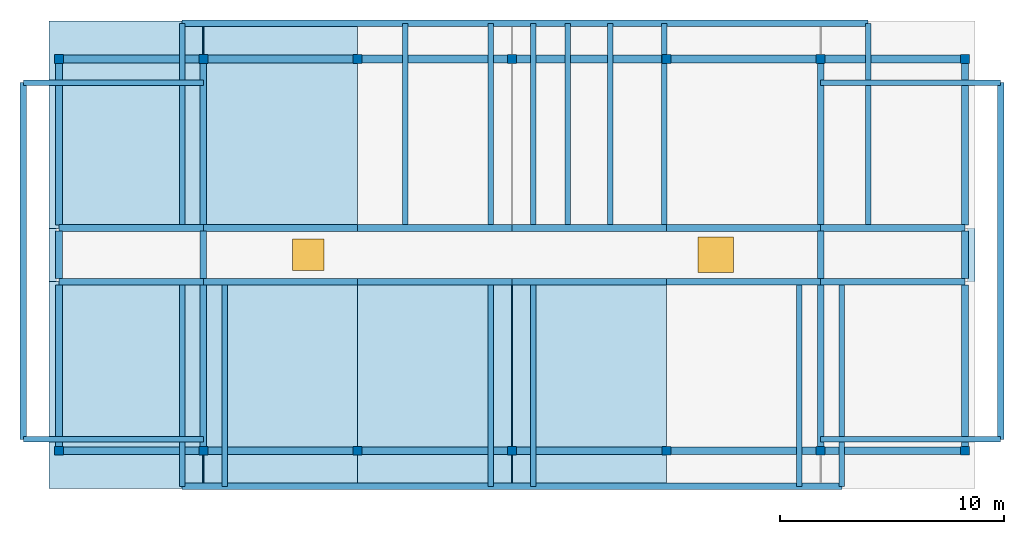
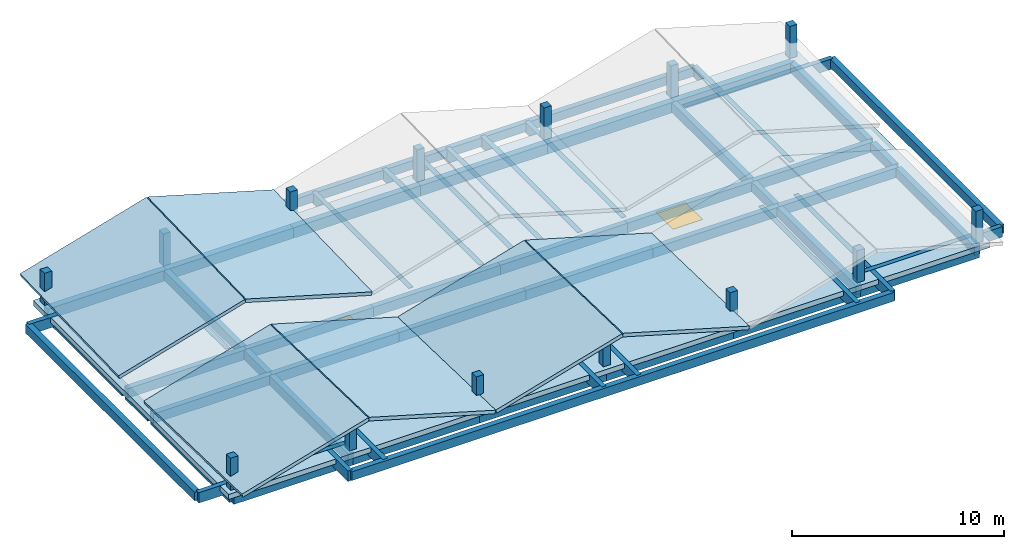
# One storey, part 1 of 3: 58 beams, 14 columns, 7 slabs, 2 windows, 2 openings.
"""IFC4 building model written with IfcOpenShell, lengths in metres."""

from ifc_helpers import new_model, si_unit, direction, frame, origin, origin_2d, place, context, subcontext, project, spatial, polyline, rectangle, outline, extrude, material, layer, layer_set, material_profile, profile_set, type_object, element, fill, save


model = new_model("IFC4")

# Units and contexts
model_context = context("Model", 3, precision=1e-05, world=origin(), true_north=direction((0.0, 1.0)))
body_context = subcontext(model_context, "Body", "Model", "MODEL_VIEW")
ifc_project = project(units=[si_unit("LENGTHUNIT", "METRE"), si_unit("AREAUNIT", "SQUARE_METRE"), si_unit("VOLUMEUNIT", "CUBIC_METRE"), si_unit("PLANEANGLEUNIT", "RADIAN"), si_unit("MASSUNIT", "GRAM", prefix="KILO")], contexts=[model_context])

# Site, building, storey
site_placement = place(None, origin())
site = spatial("IfcSite", under=ifc_project, at=site_placement, CompositionType="ELEMENT")
building_placement = place(site_placement, origin())
building = spatial("IfcBuilding", under=site, at=building_placement, Name="Zavelmont Quarter", CompositionType="ELEMENT")
storey_placement = place(building_placement, frame((0.0, 0.0, 49.60009765625)))
storey = spatial("IfcBuildingStorey", under=building, at=storey_placement, Name="ROOF", CompositionType="ELEMENT", Elevation=49.60009765625)

# Columns
ifc_material_1 = material(Name="Concrete C35/45", Category="concrete")
ifc_material_profile_1 = material_profile(ifc_material_1, rectangle(XDim=0.39990234375, YDim=0.39990234375, at=origin_2d()), Name="RC400X400")
ifc_profile_set_1 = profile_set([ifc_material_profile_1], Name="Concrete C35/45")
column_type = type_object("IfcColumnType", Name="CL05", PredefinedType="COLUMN", material=ifc_profile_set_1)
for number, where, z_axis, x_axis, name in (
    (1, (0.43994140625, 0.43994140625, 0.0), (0.0, 0.0, 1.0), (1.0, 0.0, 0.0), "ROOF column CL05 at 1/A"),
    (2, (0.43994140625, 17.9599609375, 0.0), (0.0, 0.0, 1.0), (1.0, 0.0, 0.0), "ROOF column CL05 at 1/D"),
    (3, (6.89990234375, 0.43994140625, 0.0), (0.0, 0.0, 1.0), (1.0, 0.0, 0.0), "ROOF column CL05 at 2/A"),
    (4, (6.89990234375, 17.9599609375, 0.0), (0.0, 0.0, 1.0), (1.0, 0.0, 0.0), "ROOF column CL05 at 2/D"),
    (5, (13.800048828125, 0.43994140625, 0.0), (0.0, 0.0, 1.0), (1.0, 0.0, 0.0), "ROOF column CL05 at 3/A"),
    (6, (13.800048828125, 17.9599609375, 0.0), (0.0, 0.0, 1.0), (1.0, 0.0, 0.0), "ROOF column CL05 at 3/D"),
    (7, (20.699951171875, 0.43994140625, 0.0), (0.0, 0.0, 1.0), (1.0, 0.0, 0.0), "ROOF column CL05 at 4/A"),
    (8, (20.699951171875, 17.9599609375, 0.0), (0.0, 0.0, 1.0), (1.0, 0.0, 0.0), "ROOF column CL05 at 4/D"),
    (9, (27.60009765625, 0.43994140625, 0.0), (0.0, 0.0, 1.0), (1.0, 0.0, 0.0), "ROOF column CL05 at 5/A"),
    (10, (27.60009765625, 17.9599609375, 0.0), (0.0, 0.0, 1.0), (1.0, 0.0, 0.0), "ROOF column CL05 at 5/D"),
    (11, (34.5, 0.43994140625, 0.0), (0.0, 0.0, 1.0), (1.0, 0.0, 0.0), "ROOF column CL05 at 6/A"),
    (12, (34.5, 17.9599609375, 0.0), (0.0, 0.0, 1.0), (1.0, 0.0, 0.0), "ROOF column CL05 at 6/D"),
    (13, (40.9599609375, 0.43994140625, 0.0), (0.0, 0.0, 1.0), (1.0, 0.0, 0.0), "ROOF column CL05 at 7/A"),
    (14, (40.9599609375, 17.9599609375, 0.0), (0.0, 0.0, 1.0), (1.0, 0.0, 0.0), "ROOF column CL05 at 7/D"),
):
    element("IfcColumn", number, at=place(storey_placement, frame(where, z_axis=z_axis, x_axis=x_axis)), inside=storey, type_object=column_type, Name=name, PredefinedType="COLUMN", context=body_context, shape_type="SweptSolid", body=[
        extrude(rectangle(XDim=0.39990234375, YDim=0.39990234375, at=origin_2d()), origin(), (0.0, 0.0, 1.0), 1.849853515625),
    ])

# Beams
ifc_material_profile_2 = material_profile(ifc_material_1, rectangle(XDim=0.35009765625, YDim=0.60009765625, at=origin_2d()), Name="RC350X600")
ifc_profile_set_2 = profile_set([ifc_material_profile_2], Name="Concrete C35/45")
beam_type_1 = type_object("IfcBeamType", Name="BM01", PredefinedType="SPANDREL", material=ifc_profile_set_2)
beam_1_placement = place(storey_placement, frame((0.43994140625, 0.43994140625, -0.590087890625), z_axis=(1.0, 0.0, 0.0), x_axis=(0.0, 1.0, 0.0)))
element("IfcBeam", 15, at=beam_1_placement, inside=storey, type_object=beam_type_1, Name="ROOF beam BM01 1/A to 2/A", PredefinedType="SPANDREL", context=body_context, shape_type="SweptSolid", body=[
    extrude(rectangle(XDim=0.35009765625, YDim=0.60009765625, at=origin_2d()), origin(), (0.0, 0.0, 1.0), 6.4599609375),
])
beam_2_placement = place(storey_placement, frame((6.89990234375, 0.43994140625, -0.590087890625), z_axis=(1.0, 0.0, 0.0), x_axis=(0.0, 1.0, 0.0)))
element("IfcBeam", 16, at=beam_2_placement, inside=storey, type_object=beam_type_1, Name="ROOF beam BM01 2/A to 3/A", PredefinedType="SPANDREL", context=body_context, shape_type="SweptSolid", body=[
    extrude(rectangle(XDim=0.35009765625, YDim=0.60009765625, at=origin_2d()), origin(), (0.0, 0.0, 1.0), 6.900146484375),
])
beam_3_placement = place(storey_placement, frame((13.800048828125, 0.43994140625, -0.590087890625), z_axis=(1.0, 0.0, 0.0), x_axis=(0.0, 1.0, 0.0)))
element("IfcBeam", 17, at=beam_3_placement, inside=storey, type_object=beam_type_1, Name="ROOF beam BM01 3/A to 4/A", PredefinedType="SPANDREL", context=body_context, shape_type="SweptSolid", body=[
    extrude(rectangle(XDim=0.35009765625, YDim=0.60009765625, at=origin_2d()), origin(), (0.0, 0.0, 1.0), 6.89990234375),
])
beam_4_placement = place(storey_placement, frame((20.699951171875, 0.43994140625, -0.590087890625), z_axis=(1.0, 0.0, 0.0), x_axis=(0.0, 1.0, 0.0)))
element("IfcBeam", 18, at=beam_4_placement, inside=storey, type_object=beam_type_1, Name="ROOF beam BM01 4/A to 5/A", PredefinedType="SPANDREL", context=body_context, shape_type="SweptSolid", body=[
    extrude(rectangle(XDim=0.35009765625, YDim=0.60009765625, at=origin_2d()), origin(), (0.0, 0.0, 1.0), 6.900146484375),
])
beam_5_placement = place(storey_placement, frame((27.60009765625, 0.43994140625, -0.590087890625), z_axis=(1.0, 0.0, 0.0), x_axis=(0.0, 1.0, 0.0)))
element("IfcBeam", 19, at=beam_5_placement, inside=storey, type_object=beam_type_1, Name="ROOF beam BM01 5/A to 6/A", PredefinedType="SPANDREL", context=body_context, shape_type="SweptSolid", body=[
    extrude(rectangle(XDim=0.35009765625, YDim=0.60009765625, at=origin_2d()), origin(), (0.0, 0.0, 1.0), 6.89990234375),
])
for number, where, z_axis, x_axis, name in (
    (20, (34.5, 0.43994140625, -0.590087890625), (1.0, 0.0, 0.0), (0.0, 1.0, 0.0), "ROOF beam BM01 6/A to 7/A"),
    (21, (0.43994140625, 17.9599609375, -0.590087890625), (1.0, 0.0, 0.0), (0.0, 1.0, 0.0), "ROOF beam BM01 1/D to 2/D"),
):
    element("IfcBeam", number, at=place(storey_placement, frame(where, z_axis=z_axis, x_axis=x_axis)), inside=storey, type_object=beam_type_1, Name=name, PredefinedType="SPANDREL", context=body_context, shape_type="SweptSolid", body=[
        extrude(rectangle(XDim=0.35009765625, YDim=0.60009765625, at=origin_2d()), origin(), (0.0, 0.0, 1.0), 6.4599609375),
    ])
beam_6_placement = place(storey_placement, frame((6.89990234375, 17.9599609375, -0.590087890625), z_axis=(1.0, 0.0, 0.0), x_axis=(0.0, 1.0, 0.0)))
element("IfcBeam", 22, at=beam_6_placement, inside=storey, type_object=beam_type_1, Name="ROOF beam BM01 2/D to 3/D", PredefinedType="SPANDREL", context=body_context, shape_type="SweptSolid", body=[
    extrude(rectangle(XDim=0.35009765625, YDim=0.60009765625, at=origin_2d()), origin(), (0.0, 0.0, 1.0), 6.900146484375),
])
beam_7_placement = place(storey_placement, frame((13.800048828125, 17.9599609375, -0.590087890625), z_axis=(1.0, 0.0, 0.0), x_axis=(0.0, 1.0, 0.0)))
element("IfcBeam", 23, at=beam_7_placement, inside=storey, type_object=beam_type_1, Name="ROOF beam BM01 3/D to 4/D", PredefinedType="SPANDREL", context=body_context, shape_type="SweptSolid", body=[
    extrude(rectangle(XDim=0.35009765625, YDim=0.60009765625, at=origin_2d()), origin(), (0.0, 0.0, 1.0), 6.89990234375),
])
beam_8_placement = place(storey_placement, frame((20.699951171875, 17.9599609375, -0.590087890625), z_axis=(1.0, 0.0, 0.0), x_axis=(0.0, 1.0, 0.0)))
element("IfcBeam", 24, at=beam_8_placement, inside=storey, type_object=beam_type_1, Name="ROOF beam BM01 4/D to 5/D", PredefinedType="SPANDREL", context=body_context, shape_type="SweptSolid", body=[
    extrude(rectangle(XDim=0.35009765625, YDim=0.60009765625, at=origin_2d()), origin(), (0.0, 0.0, 1.0), 6.900146484375),
])
beam_9_placement = place(storey_placement, frame((27.60009765625, 17.9599609375, -0.590087890625), z_axis=(1.0, 0.0, 0.0), x_axis=(0.0, 1.0, 0.0)))
element("IfcBeam", 25, at=beam_9_placement, inside=storey, type_object=beam_type_1, Name="ROOF beam BM01 5/D to 6/D", PredefinedType="SPANDREL", context=body_context, shape_type="SweptSolid", body=[
    extrude(rectangle(XDim=0.35009765625, YDim=0.60009765625, at=origin_2d()), origin(), (0.0, 0.0, 1.0), 6.89990234375),
])
beam_10_placement = place(storey_placement, frame((34.5, 17.9599609375, -0.590087890625), z_axis=(1.0, 0.0, 0.0), x_axis=(0.0, 1.0, 0.0)))
element("IfcBeam", 26, at=beam_10_placement, inside=storey, type_object=beam_type_1, Name="ROOF beam BM01 6/D to 7/D", PredefinedType="SPANDREL", context=body_context, shape_type="SweptSolid", body=[
    extrude(rectangle(XDim=0.35009765625, YDim=0.60009765625, at=origin_2d()), origin(), (0.0, 0.0, 1.0), 6.4599609375),
])
ifc_material_profile_3 = material_profile(ifc_material_1, rectangle(XDim=0.300048828125, YDim=0.550048828125, at=origin_2d()), Name="RC300X550")
ifc_profile_set_3 = profile_set([ifc_material_profile_3], Name="Concrete C35/45")
beam_type_2 = type_object("IfcBeamType", Name="BM02", PredefinedType="SPANDREL", material=ifc_profile_set_3)
beam_11_placement = place(storey_placement, frame((0.43994140625, 8.0, -0.565185546875), z_axis=(1.0, 0.0, 0.0), x_axis=(0.0, 1.0, 0.0)))
element("IfcBeam", 27, at=beam_11_placement, inside=storey, type_object=beam_type_2, Name="ROOF beam BM02 1/B to 2/B", PredefinedType="SPANDREL", context=body_context, shape_type="SweptSolid", body=[
    extrude(rectangle(XDim=0.300048828125, YDim=0.550048828125, at=origin_2d()), origin(), (0.0, 0.0, 1.0), 6.4599609375),
])
beam_12_placement = place(storey_placement, frame((6.89990234375, 8.0, -0.565185546875), z_axis=(1.0, 0.0, 0.0), x_axis=(0.0, 1.0, 0.0)))
element("IfcBeam", 28, at=beam_12_placement, inside=storey, type_object=beam_type_2, Name="ROOF beam BM02 2/B to 3/B", PredefinedType="SPANDREL", context=body_context, shape_type="SweptSolid", body=[
    extrude(rectangle(XDim=0.300048828125, YDim=0.550048828125, at=origin_2d()), origin(), (0.0, 0.0, 1.0), 6.900146484375),
])
beam_13_placement = place(storey_placement, frame((13.800048828125, 8.0, -0.565185546875), z_axis=(1.0, 0.0, 0.0), x_axis=(0.0, 1.0, 0.0)))
element("IfcBeam", 29, at=beam_13_placement, inside=storey, type_object=beam_type_2, Name="ROOF beam BM02 3/B to 4/B", PredefinedType="SPANDREL", context=body_context, shape_type="SweptSolid", body=[
    extrude(rectangle(XDim=0.300048828125, YDim=0.550048828125, at=origin_2d()), origin(), (0.0, 0.0, 1.0), 6.89990234375),
])
beam_14_placement = place(storey_placement, frame((20.699951171875, 8.0, -0.565185546875), z_axis=(1.0, 0.0, 0.0), x_axis=(0.0, 1.0, 0.0)))
element("IfcBeam", 30, at=beam_14_placement, inside=storey, type_object=beam_type_2, Name="ROOF beam BM02 4/B to 5/B", PredefinedType="SPANDREL", context=body_context, shape_type="SweptSolid", body=[
    extrude(rectangle(XDim=0.300048828125, YDim=0.550048828125, at=origin_2d()), origin(), (0.0, 0.0, 1.0), 6.900146484375),
])
beam_15_placement = place(storey_placement, frame((27.60009765625, 8.0, -0.565185546875), z_axis=(1.0, 0.0, 0.0), x_axis=(0.0, 1.0, 0.0)))
element("IfcBeam", 31, at=beam_15_placement, inside=storey, type_object=beam_type_2, Name="ROOF beam BM02 5/B to 6/B", PredefinedType="SPANDREL", context=body_context, shape_type="SweptSolid", body=[
    extrude(rectangle(XDim=0.300048828125, YDim=0.550048828125, at=origin_2d()), origin(), (0.0, 0.0, 1.0), 6.89990234375),
])
for number, where, z_axis, x_axis, name in (
    (32, (34.5, 8.0, -0.565185546875), (1.0, 0.0, 0.0), (0.0, 1.0, 0.0), "ROOF beam BM02 6/B to 7/B"),
    (33, (0.43994140625, 10.39990234375, -0.565185546875), (1.0, 0.0, 0.0), (0.0, 1.0, 0.0), "ROOF beam BM02 1/C to 2/C"),
):
    element("IfcBeam", number, at=place(storey_placement, frame(where, z_axis=z_axis, x_axis=x_axis)), inside=storey, type_object=beam_type_2, Name=name, PredefinedType="SPANDREL", context=body_context, shape_type="SweptSolid", body=[
        extrude(rectangle(XDim=0.300048828125, YDim=0.550048828125, at=origin_2d()), origin(), (0.0, 0.0, 1.0), 6.4599609375),
    ])
beam_16_placement = place(storey_placement, frame((6.89990234375, 10.39990234375, -0.565185546875), z_axis=(1.0, 0.0, 0.0), x_axis=(0.0, 1.0, 0.0)))
element("IfcBeam", 34, at=beam_16_placement, inside=storey, type_object=beam_type_2, Name="ROOF beam BM02 2/C to 3/C", PredefinedType="SPANDREL", context=body_context, shape_type="SweptSolid", body=[
    extrude(rectangle(XDim=0.300048828125, YDim=0.550048828125, at=origin_2d()), origin(), (0.0, 0.0, 1.0), 6.900146484375),
])
beam_17_placement = place(storey_placement, frame((13.800048828125, 10.39990234375, -0.565185546875), z_axis=(1.0, 0.0, 0.0), x_axis=(0.0, 1.0, 0.0)))
element("IfcBeam", 35, at=beam_17_placement, inside=storey, type_object=beam_type_2, Name="ROOF beam BM02 3/C to 4/C", PredefinedType="SPANDREL", context=body_context, shape_type="SweptSolid", body=[
    extrude(rectangle(XDim=0.300048828125, YDim=0.550048828125, at=origin_2d()), origin(), (0.0, 0.0, 1.0), 6.89990234375),
])
beam_18_placement = place(storey_placement, frame((20.699951171875, 10.39990234375, -0.565185546875), z_axis=(1.0, 0.0, 0.0), x_axis=(0.0, 1.0, 0.0)))
element("IfcBeam", 36, at=beam_18_placement, inside=storey, type_object=beam_type_2, Name="ROOF beam BM02 4/C to 5/C", PredefinedType="SPANDREL", context=body_context, shape_type="SweptSolid", body=[
    extrude(rectangle(XDim=0.300048828125, YDim=0.550048828125, at=origin_2d()), origin(), (0.0, 0.0, 1.0), 6.900146484375),
])
beam_19_placement = place(storey_placement, frame((27.60009765625, 10.39990234375, -0.565185546875), z_axis=(1.0, 0.0, 0.0), x_axis=(0.0, 1.0, 0.0)))
element("IfcBeam", 37, at=beam_19_placement, inside=storey, type_object=beam_type_2, Name="ROOF beam BM02 5/C to 6/C", PredefinedType="SPANDREL", context=body_context, shape_type="SweptSolid", body=[
    extrude(rectangle(XDim=0.300048828125, YDim=0.550048828125, at=origin_2d()), origin(), (0.0, 0.0, 1.0), 6.89990234375),
])
beam_20_placement = place(storey_placement, frame((34.5, 10.39990234375, -0.565185546875), z_axis=(1.0, 0.0, 0.0), x_axis=(0.0, 1.0, 0.0)))
element("IfcBeam", 38, at=beam_20_placement, inside=storey, type_object=beam_type_2, Name="ROOF beam BM02 6/C to 7/C", PredefinedType="SPANDREL", context=body_context, shape_type="SweptSolid", body=[
    extrude(rectangle(XDim=0.300048828125, YDim=0.550048828125, at=origin_2d()), origin(), (0.0, 0.0, 1.0), 6.4599609375),
])
beam_21_placement = place(storey_placement, frame((0.43994140625, 0.43994140625, -0.565185546875), z_axis=(0.0, 1.0, 0.0), x_axis=(-1.0, 0.0, 0.0)))
element("IfcBeam", 39, at=beam_21_placement, inside=storey, type_object=beam_type_2, Name="ROOF beam BM02 1/A to 1/B", PredefinedType="SPANDREL", context=body_context, shape_type="SweptSolid", body=[
    extrude(rectangle(XDim=0.300048828125, YDim=0.550048828125, at=origin_2d()), origin(), (0.0, 0.0, 1.0), 7.420166015625),
])
beam_22_placement = place(storey_placement, frame((0.43994140625, 8.139892578125, -0.565185546875), z_axis=(0.0, 1.0, 0.0), x_axis=(-1.0, 0.0, 0.0)))
element("IfcBeam", 40, at=beam_22_placement, inside=storey, type_object=beam_type_2, Name="ROOF beam BM02 1/B to 1/C", PredefinedType="SPANDREL", context=body_context, shape_type="SweptSolid", body=[
    extrude(rectangle(XDim=0.300048828125, YDim=0.550048828125, at=origin_2d()), origin(), (0.0, 0.0, 1.0), 2.1201171875),
])
beam_23_placement = place(storey_placement, frame((0.43994140625, 10.5400390625, -0.565185546875), z_axis=(0.0, 1.0, 0.0), x_axis=(-1.0, 0.0, 0.0)))
element("IfcBeam", 41, at=beam_23_placement, inside=storey, type_object=beam_type_2, Name="ROOF beam BM02 1/C to 1/D", PredefinedType="SPANDREL", context=body_context, shape_type="SweptSolid", body=[
    extrude(rectangle(XDim=0.300048828125, YDim=0.550048828125, at=origin_2d()), origin(), (0.0, 0.0, 1.0), 7.419921875),
])
beam_24_placement = place(storey_placement, frame((6.89990234375, 0.43994140625, -0.565185546875), z_axis=(0.0, 1.0, 0.0), x_axis=(-1.0, 0.0, 0.0)))
element("IfcBeam", 42, at=beam_24_placement, inside=storey, type_object=beam_type_2, Name="ROOF beam BM02 2/A to 2/B", PredefinedType="SPANDREL", context=body_context, shape_type="SweptSolid", body=[
    extrude(rectangle(XDim=0.300048828125, YDim=0.550048828125, at=origin_2d()), origin(), (0.0, 0.0, 1.0), 7.420166015625),
])
beam_25_placement = place(storey_placement, frame((6.89990234375, 8.139892578125, -0.565185546875), z_axis=(0.0, 1.0, 0.0), x_axis=(-1.0, 0.0, 0.0)))
element("IfcBeam", 43, at=beam_25_placement, inside=storey, type_object=beam_type_2, Name="ROOF beam BM02 2/B to 2/C", PredefinedType="SPANDREL", context=body_context, shape_type="SweptSolid", body=[
    extrude(rectangle(XDim=0.300048828125, YDim=0.550048828125, at=origin_2d()), origin(), (0.0, 0.0, 1.0), 2.1201171875),
])
beam_26_placement = place(storey_placement, frame((6.89990234375, 10.5400390625, -0.565185546875), z_axis=(0.0, 1.0, 0.0), x_axis=(-1.0, 0.0, 0.0)))
element("IfcBeam", 44, at=beam_26_placement, inside=storey, type_object=beam_type_2, Name="ROOF beam BM02 2/C to 2/D", PredefinedType="SPANDREL", context=body_context, shape_type="SweptSolid", body=[
    extrude(rectangle(XDim=0.300048828125, YDim=0.550048828125, at=origin_2d()), origin(), (0.0, 0.0, 1.0), 7.419921875),
])
beam_27_placement = place(storey_placement, frame((34.5, 0.43994140625, -0.565185546875), z_axis=(0.0, 1.0, 0.0), x_axis=(-1.0, 0.0, 0.0)))
element("IfcBeam", 45, at=beam_27_placement, inside=storey, type_object=beam_type_2, Name="ROOF beam BM02 6/A to 6/B", PredefinedType="SPANDREL", context=body_context, shape_type="SweptSolid", body=[
    extrude(rectangle(XDim=0.300048828125, YDim=0.550048828125, at=origin_2d()), origin(), (0.0, 0.0, 1.0), 7.420166015625),
])
beam_28_placement = place(storey_placement, frame((34.5, 8.139892578125, -0.565185546875), z_axis=(0.0, 1.0, 0.0), x_axis=(-1.0, 0.0, 0.0)))
element("IfcBeam", 46, at=beam_28_placement, inside=storey, type_object=beam_type_2, Name="ROOF beam BM02 6/B to 6/C", PredefinedType="SPANDREL", context=body_context, shape_type="SweptSolid", body=[
    extrude(rectangle(XDim=0.300048828125, YDim=0.550048828125, at=origin_2d()), origin(), (0.0, 0.0, 1.0), 2.1201171875),
])
beam_29_placement = place(storey_placement, frame((34.5, 10.5400390625, -0.565185546875), z_axis=(0.0, 1.0, 0.0), x_axis=(-1.0, 0.0, 0.0)))
element("IfcBeam", 47, at=beam_29_placement, inside=storey, type_object=beam_type_2, Name="ROOF beam BM02 6/C to 6/D", PredefinedType="SPANDREL", context=body_context, shape_type="SweptSolid", body=[
    extrude(rectangle(XDim=0.300048828125, YDim=0.550048828125, at=origin_2d()), origin(), (0.0, 0.0, 1.0), 7.419921875),
])
beam_30_placement = place(storey_placement, frame((40.9599609375, 0.43994140625, -0.565185546875), z_axis=(0.0, 1.0, 0.0), x_axis=(-1.0, 0.0, 0.0)))
element("IfcBeam", 48, at=beam_30_placement, inside=storey, type_object=beam_type_2, Name="ROOF beam BM02 7/A to 7/B", PredefinedType="SPANDREL", context=body_context, shape_type="SweptSolid", body=[
    extrude(rectangle(XDim=0.300048828125, YDim=0.550048828125, at=origin_2d()), origin(), (0.0, 0.0, 1.0), 7.420166015625),
])
beam_31_placement = place(storey_placement, frame((40.9599609375, 8.139892578125, -0.565185546875), z_axis=(0.0, 1.0, 0.0), x_axis=(-1.0, 0.0, 0.0)))
element("IfcBeam", 49, at=beam_31_placement, inside=storey, type_object=beam_type_2, Name="ROOF beam BM02 7/B to 7/C", PredefinedType="SPANDREL", context=body_context, shape_type="SweptSolid", body=[
    extrude(rectangle(XDim=0.300048828125, YDim=0.550048828125, at=origin_2d()), origin(), (0.0, 0.0, 1.0), 2.1201171875),
])
beam_32_placement = place(storey_placement, frame((40.9599609375, 10.5400390625, -0.565185546875), z_axis=(0.0, 1.0, 0.0), x_axis=(-1.0, 0.0, 0.0)))
element("IfcBeam", 50, at=beam_32_placement, inside=storey, type_object=beam_type_2, Name="ROOF beam BM02 7/C to 7/D", PredefinedType="SPANDREL", context=body_context, shape_type="SweptSolid", body=[
    extrude(rectangle(XDim=0.300048828125, YDim=0.550048828125, at=origin_2d()), origin(), (0.0, 0.0, 1.0), 7.419921875),
])
ifc_material_profile_4 = material_profile(ifc_material_1, rectangle(XDim=0.300048828125, YDim=0.5, at=origin_2d()), Name="RC300X500")
ifc_profile_set_4 = profile_set([ifc_material_profile_4], Name="Concrete C35/45")
beam_type_3 = type_object("IfcBeamType", Name="BM03", PredefinedType="BEAM", material=ifc_profile_set_4)
beam_33_placement = place(storey_placement, frame((5.949951171875, -1.14990234375, -0.25), z_axis=(1.0, 0.0, 0.0), x_axis=(0.0, 1.0, 0.0)))
element("IfcBeam", 51, at=beam_33_placement, inside=storey, type_object=beam_type_3, Name="ROOF beam BM03 2/A to 6/A", PredefinedType="BEAM", context=body_context, shape_type="SweptSolid", body=[
    extrude(rectangle(XDim=0.300048828125, YDim=0.5, at=origin_2d()), origin(), (0.0, 0.0, 1.0), 29.5),
])
beam_34_placement = place(storey_placement, frame((5.949951171875, 19.550048828125, -0.25), z_axis=(1.0, 0.0, 0.0), x_axis=(0.0, 1.0, 0.0)))
element("IfcBeam", 52, at=beam_34_placement, inside=storey, type_object=beam_type_3, Name="ROOF beam BM03 2/D to 6/D", PredefinedType="BEAM", context=body_context, shape_type="SweptSolid", body=[
    extrude(rectangle(XDim=0.300048828125, YDim=0.5, at=origin_2d()), origin(), (0.0, 0.0, 1.0), 30.675048828125),
])
for number, where, z_axis, x_axis, name in (
    (53, (-1.14990234375, 0.949951171875, -0.25), (0.0, 1.0, 0.0), (-1.0, 0.0, 0.0), "ROOF beam BM03 1/A to 1/D"),
    (54, (42.550048828125, 0.949951171875, -0.25), (0.0, 1.0, 0.0), (-1.0, 0.0, 0.0), "ROOF beam BM03 7/A to 7/D"),
):
    element("IfcBeam", number, at=place(storey_placement, frame(where, z_axis=z_axis, x_axis=x_axis)), inside=storey, type_object=beam_type_3, Name=name, PredefinedType="BEAM", context=body_context, shape_type="SweptSolid", body=[
        extrude(rectangle(XDim=0.300048828125, YDim=0.5, at=origin_2d()), origin(), (0.0, 0.0, 1.0), 15.949951171875),
    ])
ifc_material_2 = material(Name="Concrete C40/50", Category="concrete")
ifc_material_profile_5 = material_profile(ifc_material_2, rectangle(XDim=0.25, YDim=0.60009765625, at=origin_2d()), Name="RC250X600")
ifc_profile_set_5 = profile_set([ifc_material_profile_5], Name="Concrete C40/50")
beam_type_4 = type_object("IfcBeamType", Name="BM18", PredefinedType="BEAM", material=ifc_profile_set_5)
for number, where, z_axis, x_axis, name in (
    (55, (5.949951171875, 8.0, -0.300048828125), (0.0, -1.0, 0.0), (1.0, 0.0, 0.0), "ROOF beam BM18 2/B to 2/A"),
    (56, (7.85009765625, 8.0, -0.300048828125), (0.0, -1.0, 0.0), (1.0, 0.0, 0.0), "ROOF beam BM18 2/B to 2/A"),
    (57, (19.75, 8.0, -0.300048828125), (0.0, -1.0, 0.0), (1.0, 0.0, 0.0), "ROOF beam BM18 4/B to 4/A"),
    (58, (21.64990234375, 8.0, -0.300048828125), (0.0, -1.0, 0.0), (1.0, 0.0, 0.0), "ROOF beam BM18 4/B to 4/A"),
    (59, (33.550048828125, 8.0, -0.300048828125), (0.0, -1.0, 0.0), (1.0, 0.0, 0.0), "ROOF beam BM18 6/B to 6/A"),
    (60, (35.449951171875, 8.0, -0.300048828125), (0.0, -1.0, 0.0), (1.0, 0.0, 0.0), "ROOF beam BM18 6/B to 6/A"),
):
    element("IfcBeam", number, at=place(storey_placement, frame(where, z_axis=z_axis, x_axis=x_axis)), inside=storey, type_object=beam_type_4, Name=name, PredefinedType="BEAM", context=body_context, shape_type="SweptSolid", body=[
        extrude(rectangle(XDim=0.25, YDim=0.60009765625, at=origin_2d()), origin(), (0.0, 0.0, 1.0), 9.14990234375),
    ])
for number, where, z_axis, x_axis, name in (
    (61, (5.949951171875, 10.39990234375, -0.300048828125), (0.0, 1.0, 0.0), (-1.0, 0.0, 0.0), "ROOF beam BM18 2/C to 2/D"),
    (62, (15.925048828125, 10.39990234375, -0.300048828125), (0.0, 1.0, 0.0), (-1.0, 0.0, 0.0), "ROOF beam BM18 3/C to 3/D"),
    (63, (19.75, 10.39990234375, -0.300048828125), (0.0, 1.0, 0.0), (-1.0, 0.0, 0.0), "ROOF beam BM18 4/C to 4/D"),
    (64, (21.64990234375, 10.39990234375, -0.300048828125), (0.0, 1.0, 0.0), (-1.0, 0.0, 0.0), "ROOF beam BM18 4/C to 4/D"),
    (65, (27.5, 10.39990234375, -0.300048828125), (0.0, 1.0, 0.0), (-1.0, 0.0, 0.0), "ROOF beam BM18 5/C to 5/D"),
    (66, (36.625, 10.39990234375, -0.300048828125), (0.0, 1.0, 0.0), (-1.0, 0.0, 0.0), "ROOF beam BM18 6/C to 6/D"),
    (67, (23.199951171875, 10.39990234375, -0.300048828125), (0.0, 1.0, 0.0), (-1.0, 0.0, 0.0), "ROOF beam BM18 4/C to 4/D"),
    (68, (25.10009765625, 10.39990234375, -0.300048828125), (0.0, 1.0, 0.0), (-1.0, 0.0, 0.0), "ROOF beam BM18 5/C to 5/D"),
):
    element("IfcBeam", number, at=place(storey_placement, frame(where, z_axis=z_axis, x_axis=x_axis)), inside=storey, type_object=beam_type_4, Name=name, PredefinedType="BEAM", context=body_context, shape_type="SweptSolid", body=[
        extrude(rectangle(XDim=0.25, YDim=0.60009765625, at=origin_2d()), origin(), (0.0, 0.0, 1.0), 9.150146484375),
    ])
for number, where, z_axis, x_axis, name in (
    (69, (6.89990234375, 0.949951171875, -0.300048828125), (-1.0, 0.0, 0.0), (0.0, -1.0, 0.0), "ROOF beam BM18 2/A to 1/A"),
    (70, (6.89990234375, 16.89990234375, -0.300048828125), (-1.0, 0.0, 0.0), (0.0, -1.0, 0.0), "ROOF beam BM18 2/D to 1/D"),
):
    element("IfcBeam", number, at=place(storey_placement, frame(where, z_axis=z_axis, x_axis=x_axis)), inside=storey, type_object=beam_type_4, Name=name, PredefinedType="BEAM", context=body_context, shape_type="SweptSolid", body=[
        extrude(rectangle(XDim=0.25, YDim=0.60009765625, at=origin_2d()), origin(), (0.0, 0.0, 1.0), 8.0498046875),
    ])
for number, where, z_axis, x_axis, name in (
    (71, (34.5, 0.949951171875, -0.300048828125), (1.0, 0.0, 0.0), (0.0, 1.0, 0.0), "ROOF beam BM18 6/A to 7/A"),
    (72, (34.5, 16.89990234375, -0.300048828125), (1.0, 0.0, 0.0), (0.0, 1.0, 0.0), "ROOF beam BM18 6/D to 7/D"),
):
    element("IfcBeam", number, at=place(storey_placement, frame(where, z_axis=z_axis, x_axis=x_axis)), inside=storey, type_object=beam_type_4, Name=name, PredefinedType="BEAM", context=body_context, shape_type="SweptSolid", body=[
        extrude(rectangle(XDim=0.25, YDim=0.60009765625, at=origin_2d()), origin(), (0.0, 0.0, 1.0), 8.050048828125),
    ])

# Slabs
ifc_material_3 = material(Name="White architectural precast concrete C40/50", Category="concrete")
ifc_layer_1 = layer(ifc_material_3, 0.199951171875)
ifc_layer_set_1 = layer_set([ifc_layer_1], Name="White architectural precast concrete C40/50")
slab_type_1 = type_object("IfcSlabType", Name="CRAN1", PredefinedType="ROOF", material=ifc_layer_set_1)
slab_1_placement = place(storey_placement, frame((0.0, 10.375, 0.52490234375), z_axis=(-0.278254898233, -0.025880556403, 0.960158532957), x_axis=(0.960480253212, 0.0, 0.278348133082)))
element("IfcSlab", 73, at=slab_1_placement, inside=storey, type_object=slab_type_1, Name="Block A pleated crown roof CRAN1", PredefinedType="ROOF", context=body_context, shape_type="SweptSolid", body=[
    extrude(outline(polyline([(0.0, 0.0), (7.1527937867830085, 6.938893903907228e-18), (7.222380820053628, 9.278010084651765), (0.06958703327061955, 9.278010084651765), (0.0, 0.0)])), origin(), (0.0, 0.0, -1.0), 0.199951171875),
])
ifc_layer_2 = layer(ifc_material_3, 0.199951171875)
ifc_layer_set_2 = layer_set([ifc_layer_2], Name="White architectural precast concrete C40/50")
slab_type_2 = type_object("IfcSlabType", Name="CRAN2", PredefinedType="ROOF", material=ifc_layer_set_2)
slab_2_placement = place(storey_placement, frame((6.929931640625, 10.375, 2.515869140625), z_axis=(0.278254898233, -0.025880556403, 0.960158532957), x_axis=(0.960480253212, 0.0, -0.278348133082)))
element("IfcSlab", 74, at=slab_2_placement, inside=storey, type_object=slab_type_2, Name="Block A pleated crown roof CRAN2", PredefinedType="ROOF", context=body_context, shape_type="SweptSolid", body=[
    extrude(outline(polyline([(0.0, 0.0), (7.1527937867830085, -6.938893903907228e-18), (7.083206753512389, 9.278010084651765), (-0.06958703327061955, 9.278010084651765), (0.0, 0.0)])), origin(), (0.0, 0.0, -1.0), 0.199951171875),
])
ifc_layer_3 = layer(ifc_material_3, 0.199951171875)
ifc_layer_set_3 = layer_set([ifc_layer_3], Name="White architectural precast concrete C40/50")
slab_type_3 = type_object("IfcSlabType", Name="CRAS1", PredefinedType="ROOF", material=ifc_layer_set_3)
slab_3_placement = place(storey_placement, frame((0.0, -1.25, 0.77490234375), z_axis=(-0.278254395807, 0.025950183764, 0.960156799266), x_axis=(0.960480253212, 0.0, 0.278348133082)))
element("IfcSlab", 75, at=slab_3_placement, inside=storey, type_object=slab_type_3, Name="Block A pleated crown roof CRAS1", PredefinedType="ROOF", context=body_context, shape_type="SweptSolid", body=[
    extrude(outline(polyline([(0.0, 0.0), (7.1527937867830085, 0.0), (7.083206753512389, 9.253116104577991), (-0.06958703327061955, 9.253116104577991), (0.0, 0.0)])), origin(), (0.0, 0.0, -1.0), 0.199951171875),
])
ifc_layer_4 = layer(ifc_material_3, 0.199951171875)
ifc_layer_set_4 = layer_set([ifc_layer_4], Name="White architectural precast concrete C40/50")
slab_type_4 = type_object("IfcSlabType", Name="CRAS2", PredefinedType="ROOF", material=ifc_layer_set_4)
slab_4_placement = place(storey_placement, frame((6.929931640625, -1.25, 2.765869140625), z_axis=(0.278254395807, 0.025950183764, 0.960156799266), x_axis=(0.960480253212, 0.0, -0.278348133082)))
element("IfcSlab", 76, at=slab_4_placement, inside=storey, type_object=slab_type_4, Name="Block A pleated crown roof CRAS2", PredefinedType="ROOF", context=body_context, shape_type="SweptSolid", body=[
    extrude(outline(polyline([(0.0, 0.0), (7.1527937867830085, 0.0), (7.222380820053628, 9.253116104577991), (0.06958703327061955, 9.253116104577991), (0.0, 0.0)])), origin(), (0.0, 0.0, -1.0), 0.199951171875),
])
ifc_layer_5 = layer(ifc_material_3, 0.199951171875)
ifc_layer_set_5 = layer_set([ifc_layer_5], Name="White architectural precast concrete C40/50")
slab_type_5 = type_object("IfcSlabType", Name="CRAS3", PredefinedType="ROOF", material=ifc_layer_set_5)
slab_5_placement = place(storey_placement, frame((13.800048828125, -1.25, 0.77490234375), z_axis=(-0.278263518709, 0.02595011236, 0.960154157323), x_axis=(0.960477608597, 0.0, 0.278357258542)))
element("IfcSlab", 77, at=slab_5_placement, inside=storey, type_object=slab_type_5, Name="Block A pleated crown roof CRAS3", PredefinedType="ROOF", context=body_context, shape_type="SweptSolid", body=[
    extrude(outline(polyline([(0.0, 0.0), (7.1525592948565135, 6.938893903907228e-18), (7.0829699802210255, 9.253116087420961), (-0.06958931463548745, 9.253116087420961), (0.0, 0.0)])), origin(), (0.0, 0.0, -1.0), 0.199951171875),
])
ifc_layer_6 = layer(ifc_material_3, 0.199951171875)
ifc_layer_set_6 = layer_set([ifc_layer_6], Name="White architectural precast concrete C40/50")
slab_type_6 = type_object("IfcSlabType", Name="CRAS4", PredefinedType="ROOF", material=ifc_layer_set_6)
slab_6_placement = place(storey_placement, frame((20.72998046875, -1.25, 2.765869140625), z_axis=(0.278254395807, 0.025950183764, 0.960156799266), x_axis=(0.960480253212, 0.0, -0.278348133082)))
element("IfcSlab", 78, at=slab_6_placement, inside=storey, type_object=slab_type_6, Name="Block A pleated crown roof CRAS4", PredefinedType="ROOF", context=body_context, shape_type="SweptSolid", body=[
    extrude(outline(polyline([(0.0, 0.0), (7.1527937867830085, 0.0), (7.222380820053628, 9.253116104577991), (0.06958703327061955, 9.253116104577991), (0.0, 0.0)])), origin(), (0.0, 0.0, -1.0), 0.199951171875),
])

# Slab, openings, windows
ifc_layer_7 = layer(ifc_material_1, 0.2900390625)
ifc_layer_set_7 = layer_set([ifc_layer_7], Name="Concrete C35/45")
slab_type_7 = type_object("IfcSlabType", Name="SL-RF290", PredefinedType="ROOF", material=ifc_layer_set_7)
slab_7_placement = place(storey_placement, frame((0.0, 0.0, -0.2900390625)))
slab_7 = element("IfcSlab", 79, at=slab_7_placement, inside=storey, type_object=slab_type_7, Name="ROOF Block A main roof slab SL-RF290", PredefinedType="ROOF", context=body_context, shape_type="SweptSolid", body=[
    extrude(outline(polyline([(0.0, 0.0), (41.39990234375, 0.0), (41.39990234375, 18.39990234375), (0.0, 18.39990234375), (0.0, 0.0)])), origin(), (0.0, 0.0, 1.0), 0.2900390625),
])
opening_1_placement = place(slab_7_placement, frame((11.592041015625, 9.199951171875, 0.0)))
opening_1 = element("IfcOpeningElement", 80, at=opening_1_placement, cuts=slab_7, Name="Opening SK01", PredefinedType="OPENING", context=body_context, shape_type="SweptSolid", body=[
    extrude(rectangle(XDim=1.39990234375, YDim=1.39990234375, at=origin_2d()), frame((0.0, 0.0, -0.011962890625)), (0.0, 0.0, 1.0), 0.31396484375),
])
opening_2_placement = place(slab_7_placement, frame((29.80810546875, 9.199951171875, 0.0)))
opening_2 = element("IfcOpeningElement", 81, at=opening_2_placement, cuts=slab_7, Name="Opening SK02", PredefinedType="OPENING", context=body_context, shape_type="SweptSolid", body=[
    extrude(rectangle(XDim=1.60009765625, YDim=1.60009765625, at=origin_2d()), frame((0.0, 0.0, -0.011962890625)), (0.0, 0.0, 1.0), 0.31396484375),
])
ifc_material_4 = material(Name="Double low-E insulated glazing in thermally broken aluminium frame", Category="aluminium")
window_type_1 = type_object("IfcWindowType", Name="SK01", PartitioningType="SINGLE_PANEL", PredefinedType="SKYLIGHT", material=ifc_material_4)
window_1_placement = place(opening_1_placement, frame((0.0, 0.0, 0.239990234375)))
window_1 = element("IfcWindow", 82, at=window_1_placement, inside=storey, type_object=window_type_1, Name="Block A corridor skylight SK01", OverallHeight=1.39990234375, OverallWidth=1.39990234375, PartitioningType="SINGLE_PANEL", PredefinedType="SKYLIGHT", context=body_context, shape_type="SweptSolid", body=[
    extrude(rectangle(XDim=1.39990234375, YDim=1.39990234375, at=origin_2d()), origin(), (0.0, 0.0, 1.0), 0.050048828125),
])
fill(opening_1, window_1)
window_type_2 = type_object("IfcWindowType", Name="SK02", PartitioningType="SINGLE_PANEL", PredefinedType="SKYLIGHT", material=ifc_material_4)
window_2_placement = place(opening_2_placement, frame((0.0, 0.0, 0.239990234375)))
window_2 = element("IfcWindow", 83, at=window_2_placement, inside=storey, type_object=window_type_2, Name="Block A corridor skylight SK02", OverallHeight=1.60009765625, OverallWidth=1.60009765625, PartitioningType="SINGLE_PANEL", PredefinedType="SKYLIGHT", context=body_context, shape_type="SweptSolid", body=[
    extrude(rectangle(XDim=1.60009765625, YDim=1.60009765625, at=origin_2d()), origin(), (0.0, 0.0, 1.0), 0.050048828125),
])
fill(opening_2, window_2)

save(model, "model.ifc")
